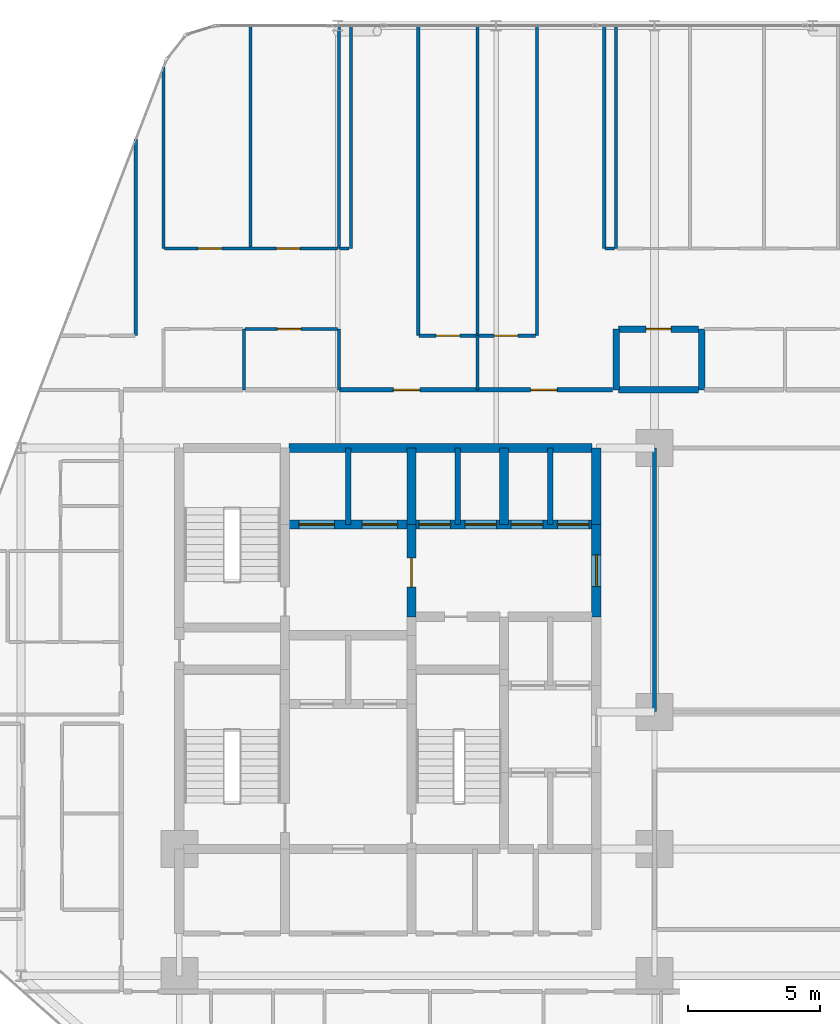
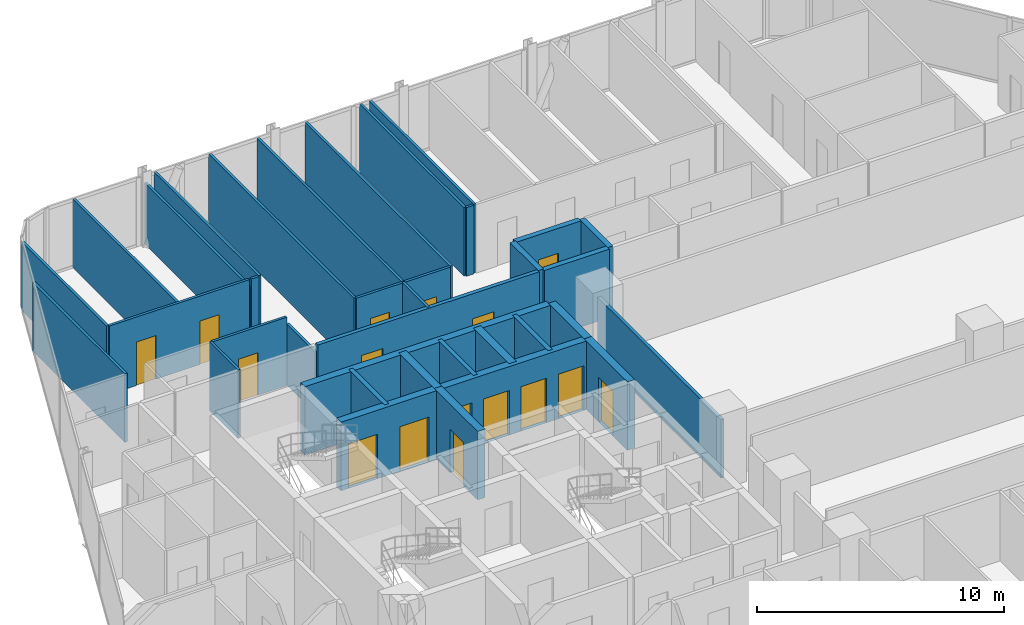
# One storey, part 30 of 33: 34 walls, 16 doors, 16 openings.
"""IFC4 building model written with IfcOpenShell, lengths in metres."""

import ifcopenshell
import ifcopenshell.guid

model = None  # the IFC model being written
_history = None  # IfcOwnerHistory: only IFC2X3 demands one
_inside = {}  # id of a spatial element -> (the spatial element, [elements in it])
_under = {}  # id of a project, library or spatial element -> (it, [spatial elements below it])
_declared = {}  # id of a project -> (the project, [libraries it declares])
_typed = {}  # id of a type object -> (the type object, [elements of that type])
_made_of = {}  # id of a material, layer set ... -> (it, [elements and type objects made of it])


def new_model(schema):
    """Start an empty IFC model of exactly this schema.

    Asked for "IFC4X3", IfcOpenShell would pick the latest addendum, in which some entities
    have other attributes; the version numbers below select the first issue.
    IFC2X3 requires an IfcOwnerHistory on every rooted entity: one is made here for all.
    """
    global model, _history
    if schema == "IFC4X3":
        model = ifcopenshell.file(schema_version=(4, 3, 0, 0))
    else:
        model = ifcopenshell.file(schema=schema)
    _inside.clear()
    _under.clear()
    _declared.clear()
    _typed.clear()
    _made_of.clear()
    _history = None
    if model.schema == "IFC2X3":
        org = make("IfcOrganization", Name="unknown")
        user = make(
            "IfcPersonAndOrganization",
            ThePerson=make("IfcPerson", FamilyName="unknown"),
            TheOrganization=org,
        )
        app = make(
            "IfcApplication",
            ApplicationDeveloper=org,
            Version="unknown",
            ApplicationFullName="unknown",
            ApplicationIdentifier="unknown",
        )
        _history = make(
            "IfcOwnerHistory",
            OwningUser=user,
            OwningApplication=app,
            ChangeAction="ADDED",
            CreationDate=0,
        )
    return model


def make(cls, **values):
    """One entity of the class cls with the attributes given. An attribute that is None is left unset."""
    return model.create_entity(
        cls, **{name: value for name, value in values.items() if value is not None}
    )


def rooted(cls, **values):
    """An entity with a GlobalId (a new one), such as an element, a storey or a relation."""
    return make(cls, GlobalId=ifcopenshell.guid.new(), OwnerHistory=_history, **values)


def si_unit(unit_type, name, prefix=None):
    """IfcSIUnit, for example si_unit("LENGTHUNIT", "METRE", prefix="MILLI")."""
    return make("IfcSIUnit", UnitType=unit_type, Prefix=prefix, Name=name)


def assignment(units):
    """IfcUnitAssignment: the units of a project."""
    return None if units is None else make("IfcUnitAssignment", Units=units)


def point(xyz):
    """IfcCartesianPoint."""
    return None if xyz is None else make("IfcCartesianPoint", Coordinates=xyz)


def direction(xyz):
    """IfcDirection."""
    return None if xyz is None else make("IfcDirection", DirectionRatios=xyz)


def frame(location, z_axis=None, x_axis=None):
    """IfcAxis2Placement3D, a coordinate frame: its origin and axes. An axis left out is left unset."""
    return make(
        "IfcAxis2Placement3D",
        Location=point(location),
        Axis=direction(z_axis),
        RefDirection=direction(x_axis),
    )


def frame_2d(location, x_axis=None):
    """IfcAxis2Placement2D, a coordinate frame in the plane: its origin and x axis."""
    return make(
        "IfcAxis2Placement2D", Location=point(location), RefDirection=direction(x_axis)
    )


def origin():
    """The frame at (0, 0, 0) with its axes left unset."""
    return frame((0.0, 0.0, 0.0))


def place(relative_to, where):
    """IfcLocalPlacement: puts the frame where relative to a parent placement (None: the world)."""
    return make(
        "IfcLocalPlacement", PlacementRelTo=relative_to, RelativePlacement=where
    )


def context(
    kind, dimensions, precision=None, world=None, true_north=None, identifier=None
):
    """IfcGeometricRepresentationContext, for example the 3D "Model" context."""
    return make(
        "IfcGeometricRepresentationContext",
        ContextIdentifier=identifier,
        ContextType=kind,
        CoordinateSpaceDimension=dimensions,
        Precision=precision,
        WorldCoordinateSystem=world,
        TrueNorth=true_north,
    )


def subcontext(parent, identifier, kind, view, scale=None):
    """IfcGeometricRepresentationSubContext, for example "Body" below "Model"."""
    return make(
        "IfcGeometricRepresentationSubContext",
        ContextIdentifier=identifier,
        ContextType=kind,
        ParentContext=parent,
        TargetScale=scale,
        TargetView=view,
    )


def project(units=None, contexts=None):
    """IfcProject with its units and contexts."""
    return rooted(
        "IfcProject",
        Name="project",
        RepresentationContexts=contexts,
        UnitsInContext=assignment(units),
    )


def spatial(cls, under=None, at=None, **own):
    """A site, building, storey or space (cls), placed at a placement, below another one or the project."""
    s = rooted(cls, ObjectPlacement=at, **own)
    if under is not None:
        _under.setdefault(under.id(), (under, []))[1].append(s)
    return s


def profile(cls, at=None, kind="AREA", **sizes):
    """A parametric profile (cls). Its sizes go by their IFC names, for example OverallWidth=200.0."""
    return make(cls, ProfileType=kind, Position=at, **sizes)


def rectangle(**sizes):
    """IfcRectangleProfileDef."""
    return profile("IfcRectangleProfileDef", **sizes)


def extrude(swept, where, along, depth):
    """IfcExtrudedAreaSolid: the profile swept, set in the frame where, extruded along a direction by depth."""
    return make(
        "IfcExtrudedAreaSolid",
        SweptArea=swept,
        Position=where,
        ExtrudedDirection=direction(along),
        Depth=depth,
    )


def shape(context_of_items, identifier, shape_type, items):
    """IfcShapeRepresentation: the items that make up one representation, for example the "Body"."""
    return make(
        "IfcShapeRepresentation",
        ContextOfItems=context_of_items,
        RepresentationIdentifier=identifier,
        RepresentationType=shape_type,
        Items=items,
    )


def material(Name=None, Category=None):
    """IfcMaterial."""
    return make("IfcMaterial", Name=Name, Category=Category)


def layer(
    of_material, thickness, ventilated=None, Name=None, Category=None, Priority=None
):
    """IfcMaterialLayer: one layer of a wall or slab, of a material (None: an air gap)."""
    return make(
        "IfcMaterialLayer",
        Material=of_material,
        LayerThickness=thickness,
        IsVentilated=ventilated,
        Name=Name,
        Category=Category,
        Priority=Priority,
    )


def layer_set(layers, Name=None):
    """IfcMaterialLayerSet."""
    return make("IfcMaterialLayerSet", MaterialLayers=layers, LayerSetName=Name)


def made_of(thing, what):
    """Note that an element or type object is made of a material, layer set ...; save() writes the relation."""
    if what is not None:
        _made_of.setdefault(what.id(), (what, []))[1].append(thing)
    return thing


def type_object(cls, material=None, **own):
    """A type object (cls), such as IfcWallType, which elements share."""
    return made_of(rooted(cls, **own), material)


def element(
    cls,
    number,
    at=None,
    inside=None,
    cuts=None,
    type_object=None,
    material=None,
    context=None,
    identifier="Body",
    shape_type=None,
    held_by="IfcProductDefinitionShape",
    body=None,
    shapes=None,
    **own,
):
    """One element of the class cls, such as IfcWall. Its Tag is "e" and its number.

    at: its placement. inside: the storey or other place that contains it. cuts: it is an
    opening in that element (IfcRelVoidsElement). A single representation is given by context,
    identifier, shape_type and body (its items); several are given by shapes. held_by: the class
    of the entity that holds the representations. save() writes the other relations.
    """
    e = rooted(cls, Tag="e%d" % number, ObjectPlacement=at, **own)
    if body is not None:
        shapes = [shape(context, identifier, shape_type, body)]
    if shapes is not None:
        e.Representation = make(held_by, Representations=shapes)
    if inside is not None:
        _inside.setdefault(inside.id(), (inside, []))[1].append(e)
    if cuts is not None:
        rooted(
            "IfcRelVoidsElement", RelatingBuildingElement=cuts, RelatedOpeningElement=e
        )
    if type_object is not None:
        _typed.setdefault(type_object.id(), (type_object, []))[1].append(e)
    return made_of(e, material)


def fill(opening, filler):
    """IfcRelFillsElement: the door or window that sits in an opening."""
    return rooted(
        "IfcRelFillsElement",
        RelatingOpeningElement=opening,
        RelatedBuildingElement=filler,
    )


def aggregate(whole, parts):
    """IfcRelAggregates: a whole, such as a stair, and the parts it consists of."""
    return rooted("IfcRelAggregates", RelatingObject=whole, RelatedObjects=parts)


def save(model, path):
    """Write the relations noted so far, then the file.

    IfcRelAggregates (storeys below a building ...), IfcRelContainedInSpatialStructure (elements
    in a storey), IfcRelDefinesByType, IfcRelAssociatesMaterial and IfcRelDeclares: one each for
    every whole, place, type object, material and project.
    """
    for whole, parts in _under.values():
        aggregate(whole, parts)
    for where, things in _inside.values():
        rooted(
            "IfcRelContainedInSpatialStructure",
            RelatedElements=things,
            RelatingStructure=where,
        )
    for kind, things in _typed.values():
        rooted("IfcRelDefinesByType", RelatedObjects=things, RelatingType=kind)
    for what, things in _made_of.values():
        rooted("IfcRelAssociatesMaterial", RelatedObjects=things, RelatingMaterial=what)
    for by, libraries in _declared.values():
        rooted("IfcRelDeclares", RelatingContext=by, RelatedDefinitions=libraries)
    model.write(path)


model = new_model("IFC4")

# Units and contexts
model_context = context("Model", 3, precision=1e-05, world=origin(), true_north=direction((0.0, 1.0)))
body_context = subcontext(model_context, "Body", "Model", "MODEL_VIEW")
ifc_project = project(units=[si_unit("LENGTHUNIT", "METRE"), si_unit("AREAUNIT", "SQUARE_METRE"), si_unit("VOLUMEUNIT", "CUBIC_METRE"), si_unit("PLANEANGLEUNIT", "RADIAN"), si_unit("MASSUNIT", "GRAM", prefix="KILO")], contexts=[model_context])

# Site, building, storey
site_placement = place(None, origin())
site = spatial("IfcSite", under=ifc_project, at=site_placement, CompositionType="ELEMENT")
building_placement = place(site_placement, origin())
building = spatial("IfcBuilding", under=site, at=building_placement, Name="Keshet Zoharim Tower", CompositionType="ELEMENT")
storey_placement = place(building_placement, frame((0.0, 0.0, 49.89990234375)))
storey = spatial("IfcBuildingStorey", under=building, at=storey_placement, Name="L11", CompositionType="ELEMENT", Elevation=49.89990234375)

# Wall
ifc_material_1 = material(Name="Gypsum Plasterboard", Category="gypsum")
ifc_layer_1 = layer(ifc_material_1, 0.14990234375)
ifc_layer_set_1 = layer_set([ifc_layer_1], Name="Gypsum Plasterboard")
wall_type_1 = type_object("IfcWallType", Name="WL-CLIN-150", PredefinedType="STANDARD", material=ifc_layer_set_1)
wall_1_placement = place(storey_placement, frame((33.0, 27.909912109375, 0.0), z_axis=(0.0, 0.0, 1.0), x_axis=(0.0, 1.0, 0.0)))
element("IfcWall", 1, at=wall_1_placement, inside=storey, type_object=wall_type_1, Name="L11 Interior Wall 075", PredefinedType="STANDARD", context=body_context, shape_type="SweptSolid", body=[
    extrude(rectangle(XDim=9.97998046875, YDim=0.14990234375, at=frame_2d((4.989990234375, 0.0))), origin(), (0.0, 0.0, 1.0), 2.885009765625),
])

# Wall, opening, door
ifc_material_2 = material(Name="Concrete C60/75", Category="concrete")
ifc_layer_2 = layer(ifc_material_2, 0.35009765625)
ifc_layer_set_2 = layer_set([ifc_layer_2], Name="Concrete C60/75")
wall_type_2 = type_object("IfcWallType", Name="WL-CORE-350", PredefinedType="SHEAR", material=ifc_layer_set_2)
wall_2_placement = place(storey_placement, frame((23.800048828125, 31.5, 0.0), z_axis=(0.0, 0.0, 1.0), x_axis=(0.0, 1.0, 0.0)))
wall_2 = element("IfcWall", 2, at=wall_2_placement, inside=storey, type_object=wall_type_2, Name="L11 Core Shear Wall 045", PredefinedType="SHEAR", context=body_context, shape_type="SweptSolid", body=[
    extrude(rectangle(XDim=3.5, YDim=0.35009765625, at=frame_2d((1.75, 0.0))), origin(), (0.0, 0.0, 1.0), 3.385009765625),
])
opening_1_placement = place(wall_2_placement, frame((1.126953125, 0.0, 0.0)))
opening_1 = element("IfcOpeningElement", 3, at=opening_1_placement, cuts=wall_2, Name="Opening D-F611", PredefinedType="OPENING", context=body_context, shape_type="SweptSolid", body=[
    extrude(rectangle(XDim=1.10009765625, YDim=2.14990234375, at=frame_2d((0.550048828125, 1.074951171875))), frame((0.0, 0.18505859375, 0.0), z_axis=(0.0, -1.0, 0.0), x_axis=(1.0, 0.0, 0.0)), (0.0, 0.0, 1.0), 0.3701171875),
])
ifc_material_3 = material(Name="Hardwood Timber", Category="wood")
door_type_1 = type_object("IfcDoorType", Name="DR-FD60-110", OperationType="NOTDEFINED", PredefinedType="DOOR", material=ifc_material_3)
door_1_placement = place(opening_1_placement, origin())
door_1 = element("IfcDoor", 4, at=door_1_placement, inside=storey, type_object=door_type_1, Name="L11 Firefighting Lobby Fire Door", OperationType="SINGLE_SWING_RIGHT", OverallHeight=2.14990234375, OverallWidth=1.10009765625, PredefinedType="DOOR", context=body_context, shape_type="SweptSolid", body=[
    extrude(rectangle(XDim=1.10009765625, YDim=2.14990234375, at=frame_2d((0.550048828125, 1.074951171875))), frame((0.0, 0.02490234375, 0.0), z_axis=(0.0, -1.0, 0.0), x_axis=(1.0, 0.0, 0.0)), (0.0, 0.0, 1.0), 0.050048828125),
])
fill(opening_1, door_1)

# Walls
for number, where, z_axis, x_axis, name in (
    (5, (23.800048828125, 35.0, 0.0), (0.0, 0.0, 1.0), (0.0, 1.0, 0.0), "L11 Core Shear Wall 046"),
    (6, (27.300048828125, 35.0, 0.0), (0.0, 0.0, 1.0), (0.0, 1.0, 0.0), "L11 Core Shear Wall 057"),
):
    element("IfcWall", number, at=place(storey_placement, frame(where, z_axis=z_axis, x_axis=x_axis)), inside=storey, type_object=wall_type_2, Name=name, PredefinedType="SHEAR", context=body_context, shape_type="SweptSolid", body=[
        extrude(rectangle(XDim=2.89990234375, YDim=0.35009765625, at=frame_2d((1.449951171875, 0.0))), origin(), (0.0, 0.0, 1.0), 3.385009765625),
    ])

# Wall, opening, door
wall_3_placement = place(storey_placement, frame((30.800048828125, 31.5, 0.0), z_axis=(0.0, 0.0, 1.0), x_axis=(0.0, 1.0, 0.0)))
wall_3 = element("IfcWall", 7, at=wall_3_placement, inside=storey, type_object=wall_type_2, Name="L11 Core Shear Wall 068", PredefinedType="SHEAR", context=body_context, shape_type="SweptSolid", body=[
    extrude(rectangle(XDim=3.5, YDim=0.35009765625, at=frame_2d((1.75, 0.0))), origin(), (0.0, 0.0, 1.0), 3.385009765625),
])
opening_2_placement = place(wall_3_placement, frame((1.14990234375, 0.0, 0.0)))
opening_2 = element("IfcOpeningElement", 8, at=opening_2_placement, cuts=wall_3, Name="Opening D-F612", PredefinedType="OPENING", context=body_context, shape_type="SweptSolid", body=[
    extrude(rectangle(XDim=1.199951171875, YDim=2.199951171875, at=frame_2d((0.60009765625, 1.10009765625))), frame((0.0, 0.18505859375, 0.0), z_axis=(0.0, -1.0, 0.0), x_axis=(1.0, 0.0, 0.0)), (0.0, 0.0, 1.0), 0.3701171875),
])
door_type_2 = type_object("IfcDoorType", Name="DR-FD60-120", OperationType="NOTDEFINED", PredefinedType="DOOR", material=ifc_material_3)
door_2_placement = place(opening_2_placement, origin())
door_2 = element("IfcDoor", 9, at=door_2_placement, inside=storey, type_object=door_type_2, Name="L11 North Lift Lobby East Fire Door", OperationType="SINGLE_SWING_RIGHT", OverallHeight=2.199951171875, OverallWidth=1.199951171875, PredefinedType="DOOR", context=body_context, shape_type="SweptSolid", body=[
    extrude(rectangle(XDim=1.199951171875, YDim=2.199951171875, at=frame_2d((0.60009765625, 1.10009765625))), frame((0.0, 0.02490234375, 0.0), z_axis=(0.0, -1.0, 0.0), x_axis=(1.0, 0.0, 0.0)), (0.0, 0.0, 1.0), 0.050048828125),
])
fill(opening_2, door_2)

# Wall
wall_4_placement = place(storey_placement, frame((30.800048828125, 35.0, 0.0), z_axis=(0.0, 0.0, 1.0), x_axis=(0.0, 1.0, 0.0)))
element("IfcWall", 10, at=wall_4_placement, inside=storey, type_object=wall_type_2, Name="L11 Core Shear Wall 069", PredefinedType="SHEAR", context=body_context, shape_type="SweptSolid", body=[
    extrude(rectangle(XDim=2.89990234375, YDim=0.35009765625, at=frame_2d((1.449951171875, 0.0))), origin(), (0.0, 0.0, 1.0), 3.385009765625),
])

# Wall, openings, doors
wall_5_placement = place(storey_placement, frame((19.159912109375, 35.0, 0.0), z_axis=(0.0, 0.0, 1.0), x_axis=(1.0, 0.0, 0.0)))
wall_5 = element("IfcWall", 11, at=wall_5_placement, inside=storey, type_object=wall_type_2, Name="L11 Core Shear Wall 189", PredefinedType="SHEAR", context=body_context, shape_type="SweptSolid", body=[
    extrude(rectangle(XDim=11.47998046875, YDim=0.35009765625, at=frame_2d((5.739990234375, 0.0))), origin(), (0.0, 0.0, 1.0), 3.385009765625),
])
opening_3_placement = place(wall_5_placement, frame((0.364990234375, 0.0, 0.0)))
opening_3 = element("IfcOpeningElement", 12, at=opening_3_placement, cuts=wall_5, Name="Opening LD-02", PredefinedType="OPENING", context=body_context, shape_type="SweptSolid", body=[
    extrude(rectangle(XDim=1.35009765625, YDim=2.199951171875, at=frame_2d((0.675048828125, 1.10009765625))), frame((0.0, 0.18505859375, 0.0), z_axis=(0.0, -1.0, 0.0), x_axis=(1.0, 0.0, 0.0)), (0.0, 0.0, 1.0), 0.3701171875),
])
opening_4_placement = place(wall_5_placement, frame((2.764892578125, 0.0, 0.0)))
opening_4 = element("IfcOpeningElement", 13, at=opening_4_placement, cuts=wall_5, Name="Opening LD-02", PredefinedType="OPENING", context=body_context, shape_type="SweptSolid", body=[
    extrude(rectangle(XDim=1.35009765625, YDim=2.199951171875, at=frame_2d((0.675048828125, 1.10009765625))), frame((0.0, 0.18505859375, 0.0), z_axis=(0.0, -1.0, 0.0), x_axis=(1.0, 0.0, 0.0)), (0.0, 0.0, 1.0), 0.3701171875),
])
opening_5_placement = place(wall_5_placement, frame((4.9150390625, 0.0, 0.0)))
opening_5 = element("IfcOpeningElement", 14, at=opening_5_placement, cuts=wall_5, Name="Opening LD-03", PredefinedType="OPENING", context=body_context, shape_type="SweptSolid", body=[
    extrude(rectangle(XDim=1.199951171875, YDim=2.199951171875, at=frame_2d((0.60009765625, 1.10009765625))), frame((0.0, 0.18505859375, 0.0), z_axis=(0.0, -1.0, 0.0), x_axis=(1.0, 0.0, 0.0)), (0.0, 0.0, 1.0), 0.3701171875),
])
opening_6_placement = place(wall_5_placement, frame((6.6650390625, 0.0, 0.0)))
opening_6 = element("IfcOpeningElement", 15, at=opening_6_placement, cuts=wall_5, Name="Opening LD-03", PredefinedType="OPENING", context=body_context, shape_type="SweptSolid", body=[
    extrude(rectangle(XDim=1.199951171875, YDim=2.199951171875, at=frame_2d((0.60009765625, 1.10009765625))), frame((0.0, 0.18505859375, 0.0), z_axis=(0.0, -1.0, 0.0), x_axis=(1.0, 0.0, 0.0)), (0.0, 0.0, 1.0), 0.3701171875),
])
opening_7_placement = place(wall_5_placement, frame((8.4150390625, 0.0, 0.0)))
opening_7 = element("IfcOpeningElement", 16, at=opening_7_placement, cuts=wall_5, Name="Opening LD-03", PredefinedType="OPENING", context=body_context, shape_type="SweptSolid", body=[
    extrude(rectangle(XDim=1.199951171875, YDim=2.199951171875, at=frame_2d((0.60009765625, 1.10009765625))), frame((0.0, 0.18505859375, 0.0), z_axis=(0.0, -1.0, 0.0), x_axis=(1.0, 0.0, 0.0)), (0.0, 0.0, 1.0), 0.3701171875),
])
opening_8_placement = place(wall_5_placement, frame((10.159912109375, 0.0, 0.0)))
opening_8 = element("IfcOpeningElement", 17, at=opening_8_placement, cuts=wall_5, Name="Opening LD-03", PredefinedType="OPENING", context=body_context, shape_type="SweptSolid", body=[
    extrude(rectangle(XDim=1.199951171875, YDim=2.199951171875, at=frame_2d((0.60009765625, 1.10009765625))), frame((0.0, 0.18505859375, 0.0), z_axis=(0.0, -1.0, 0.0), x_axis=(1.0, 0.0, 0.0)), (0.0, 0.0, 1.0), 0.3701171875),
])
ifc_material_4 = material(Name="Steel S355", Category="steel")
door_type_3 = type_object("IfcDoorType", Name="DR-LD02-135", OperationType="DOUBLE_DOOR_SLIDING", PredefinedType="DOOR", material=ifc_material_4)
door_3_placement = place(opening_3_placement, origin())
door_3 = element("IfcDoor", 18, at=door_3_placement, inside=storey, type_object=door_type_3, Name="L11 Firefighting Lift Landing Door FF-01", OperationType="DOUBLE_DOOR_SLIDING", OverallHeight=2.199951171875, OverallWidth=1.35009765625, PredefinedType="DOOR", context=body_context, shape_type="SweptSolid", body=[
    extrude(rectangle(XDim=1.35009765625, YDim=2.199951171875, at=frame_2d((0.675048828125, 1.10009765625))), frame((0.0, 0.02490234375, 0.0), z_axis=(0.0, -1.0, 0.0), x_axis=(1.0, 0.0, 0.0)), (0.0, 0.0, 1.0), 0.050048828125),
])
fill(opening_3, door_3)
door_4_placement = place(opening_4_placement, origin())
door_4 = element("IfcDoor", 19, at=door_4_placement, inside=storey, type_object=door_type_3, Name="L11 Firefighting Lift Landing Door FF-02", OperationType="DOUBLE_DOOR_SLIDING", OverallHeight=2.199951171875, OverallWidth=1.35009765625, PredefinedType="DOOR", context=body_context, shape_type="SweptSolid", body=[
    extrude(rectangle(XDim=1.35009765625, YDim=2.199951171875, at=frame_2d((0.675048828125, 1.10009765625))), frame((0.0, 0.02490234375, 0.0), z_axis=(0.0, -1.0, 0.0), x_axis=(1.0, 0.0, 0.0)), (0.0, 0.0, 1.0), 0.050048828125),
])
fill(opening_4, door_4)
door_type_4 = type_object("IfcDoorType", Name="DR-LD03-120", OperationType="DOUBLE_DOOR_SLIDING", PredefinedType="DOOR", material=ifc_material_4)
door_5_placement = place(opening_5_placement, origin())
door_5 = element("IfcDoor", 20, at=door_5_placement, inside=storey, type_object=door_type_4, Name="L11 Passenger Lift Landing Door LF-01", OperationType="DOUBLE_DOOR_SLIDING", OverallHeight=2.199951171875, OverallWidth=1.199951171875, PredefinedType="DOOR", context=body_context, shape_type="SweptSolid", body=[
    extrude(rectangle(XDim=1.199951171875, YDim=2.199951171875, at=frame_2d((0.60009765625, 1.10009765625))), frame((0.0, 0.02490234375, 0.0), z_axis=(0.0, -1.0, 0.0), x_axis=(1.0, 0.0, 0.0)), (0.0, 0.0, 1.0), 0.050048828125),
])
fill(opening_5, door_5)
door_6_placement = place(opening_6_placement, origin())
door_6 = element("IfcDoor", 21, at=door_6_placement, inside=storey, type_object=door_type_4, Name="L11 Passenger Lift Landing Door LF-02", OperationType="DOUBLE_DOOR_SLIDING", OverallHeight=2.199951171875, OverallWidth=1.199951171875, PredefinedType="DOOR", context=body_context, shape_type="SweptSolid", body=[
    extrude(rectangle(XDim=1.199951171875, YDim=2.199951171875, at=frame_2d((0.60009765625, 1.10009765625))), frame((0.0, 0.02490234375, 0.0), z_axis=(0.0, -1.0, 0.0), x_axis=(1.0, 0.0, 0.0)), (0.0, 0.0, 1.0), 0.050048828125),
])
fill(opening_6, door_6)
door_7_placement = place(opening_7_placement, origin())
door_7 = element("IfcDoor", 22, at=door_7_placement, inside=storey, type_object=door_type_4, Name="L11 Passenger Lift Landing Door LF-03", OperationType="DOUBLE_DOOR_SLIDING", OverallHeight=2.199951171875, OverallWidth=1.199951171875, PredefinedType="DOOR", context=body_context, shape_type="SweptSolid", body=[
    extrude(rectangle(XDim=1.199951171875, YDim=2.199951171875, at=frame_2d((0.60009765625, 1.10009765625))), frame((0.0, 0.02490234375, 0.0), z_axis=(0.0, -1.0, 0.0), x_axis=(1.0, 0.0, 0.0)), (0.0, 0.0, 1.0), 0.050048828125),
])
fill(opening_7, door_7)
door_8_placement = place(opening_8_placement, origin())
door_8 = element("IfcDoor", 23, at=door_8_placement, inside=storey, type_object=door_type_4, Name="L11 Passenger Lift Landing Door LF-04", OperationType="DOUBLE_DOOR_SLIDING", OverallHeight=2.199951171875, OverallWidth=1.199951171875, PredefinedType="DOOR", context=body_context, shape_type="SweptSolid", body=[
    extrude(rectangle(XDim=1.199951171875, YDim=2.199951171875, at=frame_2d((0.60009765625, 1.10009765625))), frame((0.0, 0.02490234375, 0.0), z_axis=(0.0, -1.0, 0.0), x_axis=(1.0, 0.0, 0.0)), (0.0, 0.0, 1.0), 0.050048828125),
])
fill(opening_8, door_8)

# Wall
wall_6_placement = place(storey_placement, frame((19.159912109375, 37.89990234375, 0.0), z_axis=(0.0, 0.0, 1.0), x_axis=(1.0, 0.0, 0.0)))
element("IfcWall", 24, at=wall_6_placement, inside=storey, type_object=wall_type_2, Name="L11 Core Shear Wall 193", PredefinedType="SHEAR", context=body_context, shape_type="SweptSolid", body=[
    extrude(rectangle(XDim=11.47998046875, YDim=0.35009765625, at=frame_2d((5.739990234375, 0.0))), origin(), (0.0, 0.0, 1.0), 3.385009765625),
])

# Wall, openings, doors
ifc_layer_3 = layer(ifc_material_1, 0.179931640625)
ifc_layer_set_3 = layer_set([ifc_layer_3], Name="Gypsum Plasterboard")
wall_type_3 = type_object("IfcWallType", Name="WL-CORR-180", PredefinedType="STANDARD", material=ifc_layer_set_3)
wall_7_placement = place(storey_placement, frame((21.074951171875, 40.10009765625, 0.0), z_axis=(0.0, 0.0, 1.0), x_axis=(1.0, 0.0, 0.0)))
wall_7 = element("IfcWall", 25, at=wall_7_placement, inside=storey, type_object=wall_type_3, Name="L11 Interior Wall 199", PredefinedType="STANDARD", context=body_context, shape_type="SweptSolid", body=[
    extrude(rectangle(XDim=10.344970703125, YDim=0.179931640625, at=frame_2d((5.17236328125, 0.0))), origin(), (0.0, 0.0, 1.0), 3.385009765625),
])
opening_9_placement = place(wall_7_placement, frame((2.034912109375, 0.0, 0.0)))
opening_9 = element("IfcOpeningElement", 26, at=opening_9_placement, cuts=wall_7, Name="Opening D-F310", PredefinedType="OPENING", context=body_context, shape_type="SweptSolid", body=[
    extrude(rectangle(XDim=1.0, YDim=2.14990234375, at=frame_2d((0.5, 1.074951171875))), frame((0.0, 0.10009765625, 0.0), z_axis=(0.0, -1.0, 0.0), x_axis=(1.0, 0.0, 0.0)), (0.0, 0.0, 1.0), 0.199951171875),
])
opening_10_placement = place(wall_7_placement, frame((7.235107421875, 0.0, 0.0)))
opening_10 = element("IfcOpeningElement", 27, at=opening_10_placement, cuts=wall_7, Name="Opening D-F310", PredefinedType="OPENING", context=body_context, shape_type="SweptSolid", body=[
    extrude(rectangle(XDim=1.0, YDim=2.14990234375, at=frame_2d((0.5, 1.074951171875))), frame((0.0, 0.10009765625, 0.0), z_axis=(0.0, -1.0, 0.0), x_axis=(1.0, 0.0, 0.0)), (0.0, 0.0, 1.0), 0.199951171875),
])
door_type_5 = type_object("IfcDoorType", Name="DR-FD30-100", OperationType="NOTDEFINED", PredefinedType="DOOR", material=ifc_material_3)
door_9_placement = place(opening_9_placement, origin())
door_9 = element("IfcDoor", 28, at=door_9_placement, inside=storey, type_object=door_type_5, Name="Apartment 1106 Entrance Door", OperationType="SINGLE_SWING_LEFT", OverallHeight=2.14990234375, OverallWidth=1.0, PredefinedType="DOOR", context=body_context, shape_type="SweptSolid", body=[
    extrude(rectangle(XDim=1.0, YDim=2.14990234375, at=frame_2d((0.5, 1.074951171875))), frame((0.0, 0.02490234375, 0.0), z_axis=(0.0, -1.0, 0.0), x_axis=(1.0, 0.0, 0.0)), (0.0, 0.0, 1.0), 0.050048828125),
])
fill(opening_9, door_9)
door_10_placement = place(opening_10_placement, origin())
door_10 = element("IfcDoor", 29, at=door_10_placement, inside=storey, type_object=door_type_5, Name="Apartment 1107 Entrance Door", OperationType="SINGLE_SWING_RIGHT", OverallHeight=2.14990234375, OverallWidth=1.0, PredefinedType="DOOR", context=body_context, shape_type="SweptSolid", body=[
    extrude(rectangle(XDim=1.0, YDim=2.14990234375, at=frame_2d((0.5, 1.074951171875))), frame((0.0, 0.02490234375, 0.0), z_axis=(0.0, -1.0, 0.0), x_axis=(1.0, 0.0, 0.0)), (0.0, 0.0, 1.0), 0.050048828125),
])
fill(opening_10, door_10)

# Walls
ifc_material_5 = material(Name="Concrete C50/60", Category="concrete")
ifc_layer_4 = layer(ifc_material_5, 0.199951171875)
ifc_layer_set_4 = layer_set([ifc_layer_4], Name="Concrete C50/60")
wall_type_4 = type_object("IfcWallType", Name="WL-FIRE-200", PredefinedType="STANDARD", material=ifc_layer_set_4)
for number, where, z_axis, x_axis, name in (
    (30, (21.39990234375, 35.0, 0.0), (0.0, 0.0, 1.0), (0.0, 1.0, 0.0), "L11 Interior Wall 038"),
    (31, (25.550048828125, 35.0, 0.0), (0.0, 0.0, 1.0), (0.0, 1.0, 0.0), "L11 Interior Wall 049"),
    (32, (29.050048828125, 35.0, 0.0), (0.0, 0.0, 1.0), (0.0, 1.0, 0.0), "L11 Interior Wall 063"),
):
    element("IfcWall", number, at=place(storey_placement, frame(where, z_axis=z_axis, x_axis=x_axis)), inside=storey, type_object=wall_type_4, Name=name, PredefinedType="STANDARD", context=body_context, shape_type="SweptSolid", body=[
        extrude(rectangle(XDim=2.89990234375, YDim=0.199951171875, at=frame_2d((1.449951171875, 0.0))), origin(), (0.0, 0.0, 1.0), 3.385009765625),
    ])
ifc_layer_5 = layer(ifc_material_5, 0.25)
ifc_layer_set_5 = layer_set([ifc_layer_5], Name="Concrete C50/60")
wall_type_5 = type_object("IfcWallType", Name="WL-MAMAD-250", PredefinedType="STANDARD", material=ifc_layer_set_5)
for number, where, z_axis, x_axis, name in (
    (33, (31.550048828125, 40.10009765625, 0.0), (0.0, 0.0, 1.0), (0.0, 1.0, 0.0), "L11 Interior Wall 071"),
    (34, (34.800048828125, 40.10009765625, 0.0), (0.0, 0.0, 1.0), (0.0, 1.0, 0.0), "L11 Interior Wall 079"),
):
    element("IfcWall", number, at=place(storey_placement, frame(where, z_axis=z_axis, x_axis=x_axis)), inside=storey, type_object=wall_type_5, Name=name, PredefinedType="STANDARD", context=body_context, shape_type="SweptSolid", body=[
        extrude(rectangle(XDim=2.2998046875, YDim=0.25, at=frame_2d((1.14990234375, 0.0))), origin(), (0.0, 0.0, 1.0), 3.385009765625),
    ])
wall_8_placement = place(storey_placement, frame((31.639892578125, 40.10009765625, 0.0), z_axis=(0.0, 0.0, 1.0), x_axis=(1.0, 0.0, 0.0)))
element("IfcWall", 35, at=wall_8_placement, inside=storey, type_object=wall_type_5, Name="L11 Interior Wall 200", PredefinedType="STANDARD", context=body_context, shape_type="SweptSolid", body=[
    extrude(rectangle(XDim=3.0341796875, YDim=0.25, at=frame_2d((1.51708984375, 0.0))), origin(), (0.0, 0.0, 1.0), 3.385009765625),
])

# Wall, opening, door
wall_9_placement = place(storey_placement, frame((31.639892578125, 42.39990234375, 0.0), z_axis=(0.0, 0.0, 1.0), x_axis=(1.0, 0.0, 0.0)))
wall_9 = element("IfcWall", 36, at=wall_9_placement, inside=storey, type_object=wall_type_5, Name="L11 Interior Wall 213", PredefinedType="STANDARD", context=body_context, shape_type="SweptSolid", body=[
    extrude(rectangle(XDim=3.0341796875, YDim=0.25, at=frame_2d((1.51708984375, 0.0))), origin(), (0.0, 0.0, 1.0), 3.385009765625),
])
opening_11_placement = place(wall_9_placement, frame((1.0419921875, 0.0, 0.0)))
opening_11 = element("IfcOpeningElement", 37, at=opening_11_placement, cuts=wall_9, Name="Opening D-F695", PredefinedType="OPENING", context=body_context, shape_type="SweptSolid", body=[
    extrude(rectangle(XDim=0.949951171875, YDim=2.14990234375, at=frame_2d((0.47509765625, 1.074951171875))), frame((0.0, 0.135009765625, 0.0), z_axis=(0.0, -1.0, 0.0), x_axis=(1.0, 0.0, 0.0)), (0.0, 0.0, 1.0), 0.27001953125),
])
door_type_6 = type_object("IfcDoorType", Name="DR-FD60-095", OperationType="NOTDEFINED", PredefinedType="DOOR", material=ifc_material_3)
door_11_placement = place(opening_11_placement, origin())
door_11 = element("IfcDoor", 38, at=door_11_placement, inside=storey, type_object=door_type_6, Name="Apartment 1107 Study and Shelter Room Door", OperationType="SINGLE_SWING_RIGHT", OverallHeight=2.14990234375, OverallWidth=0.949951171875, PredefinedType="DOOR", context=body_context, shape_type="SweptSolid", body=[
    extrude(rectangle(XDim=0.949951171875, YDim=2.14990234375, at=frame_2d((0.47509765625, 1.074951171875))), frame((0.0, 0.02490234375, 0.0), z_axis=(0.0, -1.0, 0.0), x_axis=(1.0, 0.0, 0.0)), (0.0, 0.0, 1.0), 0.050048828125),
])
fill(opening_11, door_11)

# Walls
ifc_layer_6 = layer(ifc_material_1, 0.1201171875)
ifc_layer_set_6 = layer_set([ifc_layer_6], Name="Gypsum Plasterboard")
wall_type_6 = type_object("IfcWallType", Name="WL-PART-120", PredefinedType="PARTITIONING", material=ifc_layer_set_6)
wall_10_placement = place(storey_placement, frame((13.35009765625, 42.14990234375, 0.0), z_axis=(0.0, 0.0, 1.0), x_axis=(0.0, 1.0, 0.0)))
element("IfcWall", 39, at=wall_10_placement, inside=storey, type_object=wall_type_6, Name="L11 Interior Wall 016", PredefinedType="PARTITIONING", context=body_context, shape_type="SweptSolid", body=[
    extrude(rectangle(XDim=7.4501953125, YDim=0.1201171875, at=frame_2d((3.72509765625, 0.0))), origin(), (0.0, 0.0, 1.0), 3.385009765625),
])
wall_11_placement = place(storey_placement, frame((14.39990234375, 45.449951171875, 0.0), z_axis=(0.0, 0.0, 1.0), x_axis=(0.0, 1.0, 0.0)))
element("IfcWall", 40, at=wall_11_placement, inside=storey, type_object=wall_type_6, Name="L11 Interior Wall 018", PredefinedType="PARTITIONING", context=body_context, shape_type="SweptSolid", body=[
    extrude(rectangle(XDim=6.880126953125, YDim=0.1201171875, at=frame_2d((3.43994140625, 0.0))), origin(), (0.0, 0.0, 1.0), 3.385009765625),
])
wall_12_placement = place(storey_placement, frame((17.699951171875, 45.449951171875, 0.0), z_axis=(0.0, 0.0, 1.0), x_axis=(0.0, 1.0, 0.0)))
element("IfcWall", 41, at=wall_12_placement, inside=storey, type_object=wall_type_6, Name="L11 Interior Wall 026", PredefinedType="PARTITIONING", context=body_context, shape_type="SweptSolid", body=[
    extrude(rectangle(XDim=8.43994140625, YDim=0.1201171875, at=frame_2d((4.219970703125, 0.0))), origin(), (0.0, 0.0, 1.0), 3.385009765625),
])
wall_13_placement = place(storey_placement, frame((21.050048828125, 45.449951171875, 0.0), z_axis=(0.0, 0.0, 1.0), x_axis=(0.0, 1.0, 0.0)))
element("IfcWall", 42, at=wall_13_placement, inside=storey, type_object=wall_type_6, Name="L11 Interior Wall 036", PredefinedType="PARTITIONING", context=body_context, shape_type="SweptSolid", body=[
    extrude(rectangle(XDim=8.43994140625, YDim=0.1201171875, at=frame_2d((4.219970703125, 0.0))), origin(), (0.0, 0.0, 1.0), 3.025146484375),
])
wall_14_placement = place(storey_placement, frame((21.5, 45.449951171875, 0.0), z_axis=(0.0, 0.0, 1.0), x_axis=(0.0, 1.0, 0.0)))
element("IfcWall", 43, at=wall_14_placement, inside=storey, type_object=wall_type_6, Name="L11 Interior Wall 039", PredefinedType="PARTITIONING", context=body_context, shape_type="SweptSolid", body=[
    extrude(rectangle(XDim=8.43994140625, YDim=0.1201171875, at=frame_2d((4.219970703125, 0.0))), origin(), (0.0, 0.0, 1.0), 3.385009765625),
])
wall_15_placement = place(storey_placement, frame((24.050048828125, 42.14990234375, 0.0), z_axis=(0.0, 0.0, 1.0), x_axis=(0.0, 1.0, 0.0)))
element("IfcWall", 44, at=wall_15_placement, inside=storey, type_object=wall_type_6, Name="L11 Interior Wall 047", PredefinedType="PARTITIONING", context=body_context, shape_type="SweptSolid", body=[
    extrude(rectangle(XDim=11.739990234375, YDim=0.1201171875, at=frame_2d((5.8701171875, 0.0))), origin(), (0.0, 0.0, 1.0), 3.385009765625),
])
wall_16_placement = place(storey_placement, frame((26.300048828125, 40.10009765625, 0.0), z_axis=(0.0, 0.0, 1.0), x_axis=(0.0, 1.0, 0.0)))
element("IfcWall", 45, at=wall_16_placement, inside=storey, type_object=wall_type_6, Name="L11 Interior Wall 051", PredefinedType="PARTITIONING", context=body_context, shape_type="SweptSolid", body=[
    extrude(rectangle(XDim=2.0498046875, YDim=0.1201171875, at=frame_2d((1.02490234375, 0.0))), origin(), (0.0, 0.0, 1.0), 3.385009765625),
])
for number, where, z_axis, x_axis, name in (
    (46, (26.300048828125, 42.14990234375, 0.0), (0.0, 0.0, 1.0), (0.0, 1.0, 0.0), "L11 Interior Wall 052"),
    (47, (28.550048828125, 42.14990234375, 0.0), (0.0, 0.0, 1.0), (0.0, 1.0, 0.0), "L11 Interior Wall 059"),
):
    element("IfcWall", number, at=place(storey_placement, frame(where, z_axis=z_axis, x_axis=x_axis)), inside=storey, type_object=wall_type_6, Name=name, PredefinedType="PARTITIONING", context=body_context, shape_type="SweptSolid", body=[
        extrude(rectangle(XDim=11.739990234375, YDim=0.1201171875, at=frame_2d((5.8701171875, 0.0))), origin(), (0.0, 0.0, 1.0), 3.385009765625),
    ])
for number, where, z_axis, x_axis, name in (
    (48, (31.10009765625, 45.449951171875, 0.0), (0.0, 0.0, 1.0), (0.0, 1.0, 0.0), "L11 Interior Wall 070"),
    (49, (31.550048828125, 45.449951171875, 0.0), (0.0, 0.0, 1.0), (0.0, 1.0, 0.0), "L11 Interior Wall 072"),
):
    element("IfcWall", number, at=place(storey_placement, frame(where, z_axis=z_axis, x_axis=x_axis)), inside=storey, type_object=wall_type_6, Name=name, PredefinedType="PARTITIONING", context=body_context, shape_type="SweptSolid", body=[
        extrude(rectangle(XDim=8.43994140625, YDim=0.1201171875, at=frame_2d((4.219970703125, 0.0))), origin(), (0.0, 0.0, 1.0), 3.385009765625),
    ])

# Wall, openings, doors
wall_17_placement = place(storey_placement, frame((24.074951171875, 42.14990234375, 0.0), z_axis=(0.0, 0.0, 1.0), x_axis=(1.0, 0.0, 0.0)))
wall_17 = element("IfcWall", 50, at=wall_17_placement, inside=storey, type_object=wall_type_6, Name="L11 Interior Wall 210", PredefinedType="PARTITIONING", context=body_context, shape_type="SweptSolid", body=[
    extrude(rectangle(XDim=4.41015625, YDim=0.1201171875, at=frame_2d((2.205078125, 0.0))), origin(), (0.0, 0.0, 1.0), 3.385009765625),
])
opening_12_placement = place(wall_17_placement, frame((0.655029296875, 0.0, 0.0)))
opening_12 = element("IfcOpeningElement", 51, at=opening_12_placement, cuts=wall_17, Name="Opening D-IN90", PredefinedType="OPENING", context=body_context, shape_type="SweptSolid", body=[
    extrude(rectangle(XDim=0.89990234375, YDim=2.14990234375, at=frame_2d((0.449951171875, 1.074951171875))), frame((0.0, 0.070068359375, 0.0), z_axis=(0.0, -1.0, 0.0), x_axis=(1.0, 0.0, 0.0)), (0.0, 0.0, 1.0), 0.14013671875),
])
opening_13_placement = place(wall_17_placement, frame((2.85498046875, 0.0, 0.0)))
opening_13 = element("IfcOpeningElement", 52, at=opening_13_placement, cuts=wall_17, Name="Opening D-IN90", PredefinedType="OPENING", context=body_context, shape_type="SweptSolid", body=[
    extrude(rectangle(XDim=0.89990234375, YDim=2.14990234375, at=frame_2d((0.449951171875, 1.074951171875))), frame((0.0, 0.070068359375, 0.0), z_axis=(0.0, -1.0, 0.0), x_axis=(1.0, 0.0, 0.0)), (0.0, 0.0, 1.0), 0.14013671875),
])
door_type_7 = type_object("IfcDoorType", Name="DR-INT-090", OperationType="NOTDEFINED", PredefinedType="DOOR", material=ifc_material_3)
door_12_placement = place(opening_12_placement, origin())
door_12 = element("IfcDoor", 53, at=door_12_placement, inside=storey, type_object=door_type_7, Name="Apartment 1106 Formal Dining Room Door", OperationType="SINGLE_SWING_RIGHT", OverallHeight=2.14990234375, OverallWidth=0.89990234375, PredefinedType="DOOR", context=body_context, shape_type="SweptSolid", body=[
    extrude(rectangle(XDim=0.89990234375, YDim=2.14990234375, at=frame_2d((0.449951171875, 1.074951171875))), frame((0.0, 0.02490234375, 0.0), z_axis=(0.0, -1.0, 0.0), x_axis=(1.0, 0.0, 0.0)), (0.0, 0.0, 1.0), 0.050048828125),
])
fill(opening_12, door_12)
door_13_placement = place(opening_13_placement, origin())
door_13 = element("IfcDoor", 54, at=door_13_placement, inside=storey, type_object=door_type_7, Name="Apartment 1107 Formal Dining Room Door", OperationType="SINGLE_SWING_LEFT", OverallHeight=2.14990234375, OverallWidth=0.89990234375, PredefinedType="DOOR", context=body_context, shape_type="SweptSolid", body=[
    extrude(rectangle(XDim=0.89990234375, YDim=2.14990234375, at=frame_2d((0.449951171875, 1.074951171875))), frame((0.0, 0.02490234375, 0.0), z_axis=(0.0, -1.0, 0.0), x_axis=(1.0, 0.0, 0.0)), (0.0, 0.0, 1.0), 0.050048828125),
])
fill(opening_13, door_13)

wall_18_placement = place(storey_placement, frame((14.445068359375, 45.449951171875, 0.0), z_axis=(0.0, 0.0, 1.0), x_axis=(1.0, 0.0, 0.0)))
wall_18 = element("IfcWall", 55, at=wall_18_placement, inside=storey, type_object=wall_type_6, Name="L11 Interior Wall 220", PredefinedType="PARTITIONING", context=body_context, shape_type="SweptSolid", body=[
    extrude(rectangle(XDim=6.5400390625, YDim=0.1201171875, at=frame_2d((3.27001953125, 0.0))), origin(), (0.0, 0.0, 1.0), 3.385009765625),
])
opening_14_placement = place(wall_18_placement, frame((1.26611328125, 0.0, 0.0)))
opening_14 = element("IfcOpeningElement", 56, at=opening_14_placement, cuts=wall_18, Name="Opening D-IN90", PredefinedType="OPENING", context=body_context, shape_type="SweptSolid", body=[
    extrude(rectangle(XDim=0.89990234375, YDim=2.14990234375, at=frame_2d((0.449951171875, 1.074951171875))), frame((0.0, 0.070068359375, 0.0), z_axis=(0.0, -1.0, 0.0), x_axis=(1.0, 0.0, 0.0)), (0.0, 0.0, 1.0), 0.14013671875),
])
opening_15_placement = place(wall_18_placement, frame((4.23095703125, 0.0, 0.0)))
opening_15 = element("IfcOpeningElement", 57, at=opening_15_placement, cuts=wall_18, Name="Opening D-IN90", PredefinedType="OPENING", context=body_context, shape_type="SweptSolid", body=[
    extrude(rectangle(XDim=0.89990234375, YDim=2.14990234375, at=frame_2d((0.449951171875, 1.074951171875))), frame((0.0, 0.070068359375, 0.0), z_axis=(0.0, -1.0, 0.0), x_axis=(1.0, 0.0, 0.0)), (0.0, 0.0, 1.0), 0.14013671875),
])
door_14_placement = place(opening_14_placement, origin())
door_14 = element("IfcDoor", 58, at=door_14_placement, inside=storey, type_object=door_type_7, Name="Apartment 1106 Bedroom 1 Door", OperationType="SINGLE_SWING_LEFT", OverallHeight=2.14990234375, OverallWidth=0.89990234375, PredefinedType="DOOR", context=body_context, shape_type="SweptSolid", body=[
    extrude(rectangle(XDim=0.89990234375, YDim=2.14990234375, at=frame_2d((0.449951171875, 1.074951171875))), frame((0.0, 0.02490234375, 0.0), z_axis=(0.0, -1.0, 0.0), x_axis=(1.0, 0.0, 0.0)), (0.0, 0.0, 1.0), 0.050048828125),
])
fill(opening_14, door_14)
door_15_placement = place(opening_15_placement, origin())
door_15 = element("IfcDoor", 59, at=door_15_placement, inside=storey, type_object=door_type_7, Name="Apartment 1106 Bedroom 2 Door", OperationType="SINGLE_SWING_RIGHT", OverallHeight=2.14990234375, OverallWidth=0.89990234375, PredefinedType="DOOR", context=body_context, shape_type="SweptSolid", body=[
    extrude(rectangle(XDim=0.89990234375, YDim=2.14990234375, at=frame_2d((0.449951171875, 1.074951171875))), frame((0.0, 0.02490234375, 0.0), z_axis=(0.0, -1.0, 0.0), x_axis=(1.0, 0.0, 0.0)), (0.0, 0.0, 1.0), 0.050048828125),
])
fill(opening_15, door_15)

# Walls
for number, where, z_axis, x_axis, name in (
    (60, (21.074951171875, 45.449951171875, 0.0), (0.0, 0.0, 1.0), (1.0, 0.0, 0.0), "L11 Interior Wall 221"),
    (61, (31.125, 45.449951171875, 0.0), (0.0, 0.0, 1.0), (1.0, 0.0, 0.0), "L11 Interior Wall 222"),
):
    element("IfcWall", number, at=place(storey_placement, frame(where, z_axis=z_axis, x_axis=x_axis)), inside=storey, type_object=wall_type_6, Name=name, PredefinedType="PARTITIONING", context=body_context, shape_type="SweptSolid", body=[
        extrude(rectangle(XDim=0.360107421875, YDim=0.1201171875, at=frame_2d((0.18017578125, 0.0))), origin(), (0.0, 0.0, 1.0), 3.385009765625),
    ])
ifc_layer_7 = layer(ifc_material_1, 0.1201171875)
ifc_layer_set_7 = layer_set([ifc_layer_7], Name="Gypsum Plasterboard")
wall_type_7 = type_object("IfcWallType", Name="WL-WET-120", PredefinedType="PARTITIONING", material=ifc_layer_set_7)
wall_19_placement = place(storey_placement, frame((17.449951171875, 40.10009765625, 0.0), z_axis=(0.0, 0.0, 1.0), x_axis=(0.0, 1.0, 0.0)))
element("IfcWall", 62, at=wall_19_placement, inside=storey, type_object=wall_type_7, Name="L11 Interior Wall 025", PredefinedType="PARTITIONING", context=body_context, shape_type="SweptSolid", body=[
    extrude(rectangle(XDim=2.2998046875, YDim=0.1201171875, at=frame_2d((1.14990234375, 0.0))), origin(), (0.0, 0.0, 1.0), 3.385009765625),
])
wall_20_placement = place(storey_placement, frame((21.050048828125, 40.10009765625, 0.0), z_axis=(0.0, 0.0, 1.0), x_axis=(0.0, 1.0, 0.0)))
element("IfcWall", 63, at=wall_20_placement, inside=storey, type_object=wall_type_7, Name="L11 Interior Wall 035", PredefinedType="PARTITIONING", context=body_context, shape_type="SweptSolid", body=[
    extrude(rectangle(XDim=2.2998046875, YDim=0.1201171875, at=frame_2d((1.14990234375, 0.0))), origin(), (0.0, 0.0, 1.0), 3.025146484375),
])

# Wall, opening, door
wall_21_placement = place(storey_placement, frame((17.4951171875, 42.39990234375, 0.0), z_axis=(0.0, 0.0, 1.0), x_axis=(1.0, 0.0, 0.0)))
wall_21 = element("IfcWall", 64, at=wall_21_placement, inside=storey, type_object=wall_type_7, Name="L11 Interior Wall 212", PredefinedType="PARTITIONING", context=body_context, shape_type="SweptSolid", body=[
    extrude(rectangle(XDim=3.489990234375, YDim=0.1201171875, at=frame_2d((1.7451171875, 0.0))), origin(), (0.0, 0.0, 1.0), 3.385009765625),
])
opening_16_placement = place(wall_21_placement, frame((1.222900390625, 0.0, 0.0)))
opening_16 = element("IfcOpeningElement", 65, at=opening_16_placement, cuts=wall_21, Name="Opening D-WT90", PredefinedType="OPENING", context=body_context, shape_type="SweptSolid", body=[
    extrude(rectangle(XDim=0.89990234375, YDim=2.10009765625, at=frame_2d((0.449951171875, 1.050048828125))), frame((0.0, 0.070068359375, 0.0), z_axis=(0.0, -1.0, 0.0), x_axis=(1.0, 0.0, 0.0)), (0.0, 0.0, 1.0), 0.14013671875),
])
door_type_8 = type_object("IfcDoorType", Name="DR-WET-090", OperationType="NOTDEFINED", PredefinedType="DOOR", material=ifc_material_3)
door_16_placement = place(opening_16_placement, origin())
door_16 = element("IfcDoor", 66, at=door_16_placement, inside=storey, type_object=door_type_8, Name="Apartment 1106 Bathroom Door", OperationType="SINGLE_SWING_LEFT", OverallHeight=2.10009765625, OverallWidth=0.89990234375, PredefinedType="DOOR", context=body_context, shape_type="SweptSolid", body=[
    extrude(rectangle(XDim=0.89990234375, YDim=2.10009765625, at=frame_2d((0.449951171875, 1.050048828125))), frame((0.0, 0.02490234375, 0.0), z_axis=(0.0, -1.0, 0.0), x_axis=(1.0, 0.0, 0.0)), (0.0, 0.0, 1.0), 0.050048828125),
])
fill(opening_16, door_16)

save(model, "model.ifc")
